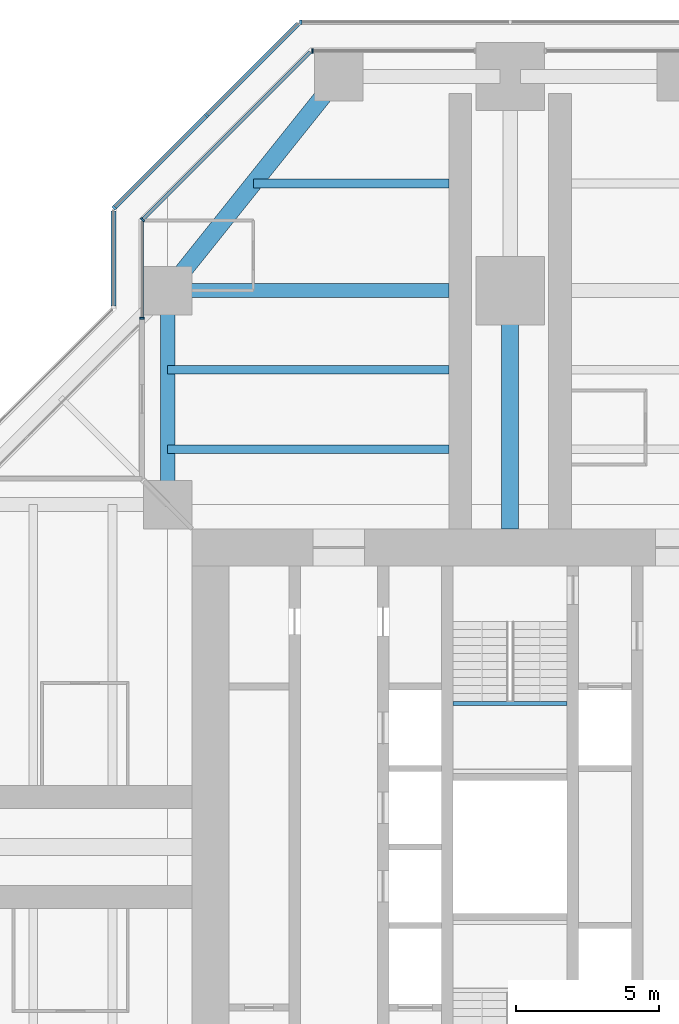
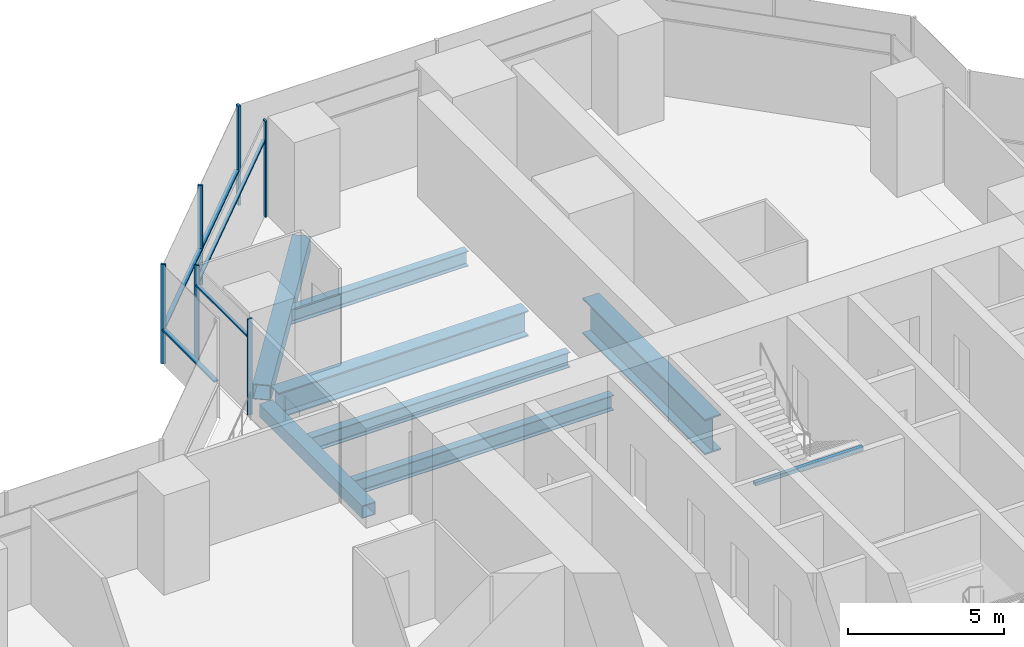
# One storey, part 8 of 20: 11 members, 8 beams, 6 elements without a shape of their own.
"""IFC4 building model written with IfcOpenShell, lengths in metres."""

import ifcopenshell
import ifcopenshell.guid

model = None  # the IFC model being written
_history = None  # IfcOwnerHistory: only IFC2X3 demands one
_inside = {}  # id of a spatial element -> (the spatial element, [elements in it])
_under = {}  # id of a project, library or spatial element -> (it, [spatial elements below it])
_declared = {}  # id of a project -> (the project, [libraries it declares])
_typed = {}  # id of a type object -> (the type object, [elements of that type])
_made_of = {}  # id of a material, layer set ... -> (it, [elements and type objects made of it])


def new_model(schema):
    """Start an empty IFC model of exactly this schema.

    Asked for "IFC4X3", IfcOpenShell would pick the latest addendum, in which some entities
    have other attributes; the version numbers below select the first issue.
    IFC2X3 requires an IfcOwnerHistory on every rooted entity: one is made here for all.
    """
    global model, _history
    if schema == "IFC4X3":
        model = ifcopenshell.file(schema_version=(4, 3, 0, 0))
    else:
        model = ifcopenshell.file(schema=schema)
    _inside.clear()
    _under.clear()
    _declared.clear()
    _typed.clear()
    _made_of.clear()
    _history = None
    if model.schema == "IFC2X3":
        org = make("IfcOrganization", Name="unknown")
        user = make(
            "IfcPersonAndOrganization",
            ThePerson=make("IfcPerson", FamilyName="unknown"),
            TheOrganization=org,
        )
        app = make(
            "IfcApplication",
            ApplicationDeveloper=org,
            Version="unknown",
            ApplicationFullName="unknown",
            ApplicationIdentifier="unknown",
        )
        _history = make(
            "IfcOwnerHistory",
            OwningUser=user,
            OwningApplication=app,
            ChangeAction="ADDED",
            CreationDate=0,
        )
    return model


def make(cls, **values):
    """One entity of the class cls with the attributes given. An attribute that is None is left unset."""
    return model.create_entity(
        cls, **{name: value for name, value in values.items() if value is not None}
    )


def rooted(cls, **values):
    """An entity with a GlobalId (a new one), such as an element, a storey or a relation."""
    return make(cls, GlobalId=ifcopenshell.guid.new(), OwnerHistory=_history, **values)


def si_unit(unit_type, name, prefix=None):
    """IfcSIUnit, for example si_unit("LENGTHUNIT", "METRE", prefix="MILLI")."""
    return make("IfcSIUnit", UnitType=unit_type, Prefix=prefix, Name=name)


def assignment(units):
    """IfcUnitAssignment: the units of a project."""
    return None if units is None else make("IfcUnitAssignment", Units=units)


def point(xyz):
    """IfcCartesianPoint."""
    return None if xyz is None else make("IfcCartesianPoint", Coordinates=xyz)


def direction(xyz):
    """IfcDirection."""
    return None if xyz is None else make("IfcDirection", DirectionRatios=xyz)


def frame(location, z_axis=None, x_axis=None):
    """IfcAxis2Placement3D, a coordinate frame: its origin and axes. An axis left out is left unset."""
    return make(
        "IfcAxis2Placement3D",
        Location=point(location),
        Axis=direction(z_axis),
        RefDirection=direction(x_axis),
    )


def frame_2d(location, x_axis=None):
    """IfcAxis2Placement2D, a coordinate frame in the plane: its origin and x axis."""
    return make(
        "IfcAxis2Placement2D", Location=point(location), RefDirection=direction(x_axis)
    )


def origin():
    """The frame at (0, 0, 0) with its axes left unset."""
    return frame((0.0, 0.0, 0.0))


def origin_2d():
    """The frame at (0, 0) in the plane with its x axis left unset."""
    return frame_2d((0.0, 0.0))


def place(relative_to, where):
    """IfcLocalPlacement: puts the frame where relative to a parent placement (None: the world)."""
    return make(
        "IfcLocalPlacement", PlacementRelTo=relative_to, RelativePlacement=where
    )


def context(
    kind, dimensions, precision=None, world=None, true_north=None, identifier=None
):
    """IfcGeometricRepresentationContext, for example the 3D "Model" context."""
    return make(
        "IfcGeometricRepresentationContext",
        ContextIdentifier=identifier,
        ContextType=kind,
        CoordinateSpaceDimension=dimensions,
        Precision=precision,
        WorldCoordinateSystem=world,
        TrueNorth=true_north,
    )


def subcontext(parent, identifier, kind, view, scale=None):
    """IfcGeometricRepresentationSubContext, for example "Body" below "Model"."""
    return make(
        "IfcGeometricRepresentationSubContext",
        ContextIdentifier=identifier,
        ContextType=kind,
        ParentContext=parent,
        TargetScale=scale,
        TargetView=view,
    )


def project(units=None, contexts=None):
    """IfcProject with its units and contexts."""
    return rooted(
        "IfcProject",
        Name="project",
        RepresentationContexts=contexts,
        UnitsInContext=assignment(units),
    )


def spatial(cls, under=None, at=None, **own):
    """A site, building, storey or space (cls), placed at a placement, below another one or the project."""
    s = rooted(cls, ObjectPlacement=at, **own)
    if under is not None:
        _under.setdefault(under.id(), (under, []))[1].append(s)
    return s


def profile(cls, at=None, kind="AREA", **sizes):
    """A parametric profile (cls). Its sizes go by their IFC names, for example OverallWidth=200.0."""
    return make(cls, ProfileType=kind, Position=at, **sizes)


def rectangle(**sizes):
    """IfcRectangleProfileDef."""
    return profile("IfcRectangleProfileDef", **sizes)


def hollow_rectangle(**sizes):
    """IfcRectangleHollowProfileDef."""
    return profile("IfcRectangleHollowProfileDef", **sizes)


def i_section(**sizes):
    """IfcIShapeProfileDef."""
    return profile("IfcIShapeProfileDef", **sizes)


def extrude(swept, where, along, depth):
    """IfcExtrudedAreaSolid: the profile swept, set in the frame where, extruded along a direction by depth."""
    return make(
        "IfcExtrudedAreaSolid",
        SweptArea=swept,
        Position=where,
        ExtrudedDirection=direction(along),
        Depth=depth,
    )


def shape(context_of_items, identifier, shape_type, items):
    """IfcShapeRepresentation: the items that make up one representation, for example the "Body"."""
    return make(
        "IfcShapeRepresentation",
        ContextOfItems=context_of_items,
        RepresentationIdentifier=identifier,
        RepresentationType=shape_type,
        Items=items,
    )


def material(Name=None, Category=None):
    """IfcMaterial."""
    return make("IfcMaterial", Name=Name, Category=Category)


def material_profile(
    of_material, cross_section, Name=None, Category=None, Priority=None
):
    """IfcMaterialProfile: a cross section and its material."""
    return make(
        "IfcMaterialProfile",
        Name=Name,
        Material=of_material,
        Profile=cross_section,
        Priority=Priority,
        Category=Category,
    )


def profile_set(profiles, Name=None, composite=None):
    """IfcMaterialProfileSet."""
    return make(
        "IfcMaterialProfileSet",
        Name=Name,
        MaterialProfiles=profiles,
        CompositeProfile=composite,
    )


def made_of(thing, what):
    """Note that an element or type object is made of a material, layer set ...; save() writes the relation."""
    if what is not None:
        _made_of.setdefault(what.id(), (what, []))[1].append(thing)
    return thing


def type_object(cls, material=None, **own):
    """A type object (cls), such as IfcWallType, which elements share."""
    return made_of(rooted(cls, **own), material)


def element(
    cls,
    number,
    at=None,
    inside=None,
    cuts=None,
    type_object=None,
    material=None,
    context=None,
    identifier="Body",
    shape_type=None,
    held_by="IfcProductDefinitionShape",
    body=None,
    shapes=None,
    **own,
):
    """One element of the class cls, such as IfcWall. Its Tag is "e" and its number.

    at: its placement. inside: the storey or other place that contains it. cuts: it is an
    opening in that element (IfcRelVoidsElement). A single representation is given by context,
    identifier, shape_type and body (its items); several are given by shapes. held_by: the class
    of the entity that holds the representations. save() writes the other relations.
    """
    e = rooted(cls, Tag="e%d" % number, ObjectPlacement=at, **own)
    if body is not None:
        shapes = [shape(context, identifier, shape_type, body)]
    if shapes is not None:
        e.Representation = make(held_by, Representations=shapes)
    if inside is not None:
        _inside.setdefault(inside.id(), (inside, []))[1].append(e)
    if cuts is not None:
        rooted(
            "IfcRelVoidsElement", RelatingBuildingElement=cuts, RelatedOpeningElement=e
        )
    if type_object is not None:
        _typed.setdefault(type_object.id(), (type_object, []))[1].append(e)
    return made_of(e, material)


def aggregate(whole, parts):
    """IfcRelAggregates: a whole, such as a stair, and the parts it consists of."""
    return rooted("IfcRelAggregates", RelatingObject=whole, RelatedObjects=parts)


def save(model, path):
    """Write the relations noted so far, then the file.

    IfcRelAggregates (storeys below a building ...), IfcRelContainedInSpatialStructure (elements
    in a storey), IfcRelDefinesByType, IfcRelAssociatesMaterial and IfcRelDeclares: one each for
    every whole, place, type object, material and project.
    """
    for whole, parts in _under.values():
        aggregate(whole, parts)
    for where, things in _inside.values():
        rooted(
            "IfcRelContainedInSpatialStructure",
            RelatedElements=things,
            RelatingStructure=where,
        )
    for kind, things in _typed.values():
        rooted("IfcRelDefinesByType", RelatedObjects=things, RelatingType=kind)
    for what, things in _made_of.values():
        rooted("IfcRelAssociatesMaterial", RelatedObjects=things, RelatingMaterial=what)
    for by, libraries in _declared.values():
        rooted("IfcRelDeclares", RelatingContext=by, RelatedDefinitions=libraries)
    model.write(path)


model = new_model("IFC4")

# Units and contexts
model_context = context("Model", 3, precision=1e-05, world=origin(), true_north=direction((0.0, 1.0)))
body_context = subcontext(model_context, "Body", "Model", "MODEL_VIEW")
ifc_project = project(units=[si_unit("LENGTHUNIT", "METRE"), si_unit("AREAUNIT", "SQUARE_METRE"), si_unit("VOLUMEUNIT", "CUBIC_METRE"), si_unit("PLANEANGLEUNIT", "RADIAN"), si_unit("MASSUNIT", "GRAM", prefix="KILO")], contexts=[model_context])

# Site, building, storey
site_placement = place(None, origin())
site = spatial("IfcSite", under=ifc_project, at=site_placement, CompositionType="ELEMENT")
building_placement = place(site_placement, origin())
building = spatial("IfcBuilding", under=site, at=building_placement, Name="Mizan Broadcast Tower", CompositionType="ELEMENT")
storey_placement = place(building_placement, frame((0.0, 0.0, 151.5)))
storey = spatial("IfcBuildingStorey", under=building, at=storey_placement, Name="L34", CompositionType="ELEMENT", Elevation=151.5)

# Beams
ifc_material_1 = material(Name="Steel S355", Category="steel")
ifc_material_profile_1 = material_profile(ifc_material_1, hollow_rectangle(XDim=0.5, YDim=0.5, WallThickness=0.030029296875, at=origin_2d()), Name="BOX 500x500x30")
ifc_profile_set_1 = profile_set([ifc_material_profile_1], Name="Steel S355")
beam_type_1 = type_object("IfcBeamType", Name="EDGE BEAM BOX 500x500x30", PredefinedType="SPANDREL", material=ifc_profile_set_1)
beam_1_placement = place(storey_placement, frame((-12.0, 12.449951171875, -0.3798828125), z_axis=(0.0, 1.0, 0.0), x_axis=(-1.0, 0.0, 0.0)))
element("IfcBeam", 1, at=beam_1_placement, inside=storey, type_object=beam_type_1, Name="Edge beam BOX 500x500x30 L34 north arm", PredefinedType="SPANDREL", context=body_context, shape_type="SweptSolid", body=[
    extrude(hollow_rectangle(XDim=0.5, YDim=0.5, WallThickness=0.030029296875, at=origin_2d()), origin(), (0.0, 0.0, 1.0), 6.60009765625),
])
ifc_material_2 = material(Name="Steel S355", Category="steel")
ifc_material_profile_2 = material_profile(ifc_material_2, hollow_rectangle(XDim=0.60009765625, YDim=0.60009765625, WallThickness=0.030029296875, at=origin_2d()), Name="BOX 600x600x30")
ifc_profile_set_2 = profile_set([ifc_material_profile_2], Name="Steel S355")
beam_type_2 = type_object("IfcBeamType", Name="EDGE BEAM BOX 600x600x30", PredefinedType="SPANDREL", material=ifc_profile_set_2)
beam_2_placement = place(storey_placement, frame((-11.639892578125, 19.949951171875, -0.429931640625), z_axis=(0.624673911726, 0.780885717636, 0.0), x_axis=(-0.780885717636, 0.624673911726, 0.0)))
element("IfcBeam", 2, at=beam_2_placement, inside=storey, type_object=beam_type_2, Name="Edge beam BOX 600x600x30 L34 north arm", PredefinedType="SPANDREL", context=body_context, shape_type="SweptSolid", body=[
    extrude(hollow_rectangle(XDim=0.60009765625, YDim=0.60009765625, WallThickness=0.030029296875, at=origin_2d()), origin(), (0.0, 0.0, 1.0), 8.4521484375),
])
ifc_material_3 = material(Name="Steel S460", Category="steel")
ifc_material_profile_3 = material_profile(ifc_material_3, i_section(OverallWidth=0.5, OverallDepth=1.0, WebThickness=0.02490234375, FlangeThickness=0.050048828125, at=origin_2d()), Name="WPG 1000x500")
ifc_profile_set_3 = profile_set([ifc_material_profile_3], Name="Steel S460")
beam_type_3 = type_object("IfcBeamType", Name="GIRDER WPG 1000x500", PredefinedType="BEAM", material=ifc_profile_set_3)
beam_3_placement = place(storey_placement, frame((-11.408935546875, 19.5, -0.6298828125), z_axis=(1.0, 0.0, 0.0), x_axis=(0.0, 1.0, 0.0)))
element("IfcBeam", 3, at=beam_3_placement, inside=storey, type_object=beam_type_3, Name="Girder WPG 1000x500 L34 north arm", PredefinedType="BEAM", context=body_context, shape_type="SweptSolid", body=[
    extrude(i_section(OverallWidth=0.5, OverallDepth=1.0, WebThickness=0.02490234375, FlangeThickness=0.050048828125, at=origin_2d()), origin(), (0.0, 0.0, 1.0), 9.259033203125),
])
ifc_material_4 = material(Name="Steel S460", Category="steel")
ifc_material_profile_4 = material_profile(ifc_material_4, i_section(OverallWidth=0.60009765625, OverallDepth=1.39990234375, WebThickness=0.02490234375, FlangeThickness=0.06005859375, at=origin_2d()), Name="WPG 1400x600")
ifc_profile_set_4 = profile_set([ifc_material_profile_4], Name="Steel S460")
beam_type_4 = type_object("IfcBeamType", Name="GIRDER WPG 1400x600", PredefinedType="BEAM", material=ifc_profile_set_4)
beam_4_placement = place(storey_placement, frame((0.0, 11.14990234375, -0.830078125), z_axis=(0.0, 1.0, 0.0), x_axis=(-1.0, 0.0, 0.0)))
element("IfcBeam", 4, at=beam_4_placement, inside=storey, type_object=beam_type_4, Name="Girder WPG 1400x600 L34 north arm", PredefinedType="BEAM", context=body_context, shape_type="SweptSolid", body=[
    extrude(i_section(OverallWidth=0.60009765625, OverallDepth=1.39990234375, WebThickness=0.02490234375, FlangeThickness=0.06005859375, at=origin_2d()), origin(), (0.0, 0.0, 1.0), 7.84912109375),
])

# Curtain wall, member
ifc_material_5 = material(Name="Aluminium framed glazing", Category="aluminium")
curtain_wall_type_1 = type_object("IfcCurtainWallType", Name="INNER SKIN MID ZONE", PredefinedType="USERDEFINED", material=ifc_material_5)
curtain_wall_1_placement = place(storey_placement, origin())
curtain_wall_1 = element("IfcCurtainWall", 5, at=curtain_wall_1_placement, inside=storey, type_object=curtain_wall_type_1, Name="Inner skin mid zone L34 N end", ObjectType="INNER SKIN MID ZONE", PredefinedType="USERDEFINED")
ifc_material_6 = material(Name="Aluminium, pale anodised", Category="aluminium")
ifc_material_profile_5 = material_profile(ifc_material_6, rectangle(XDim=0.159912109375, YDim=0.06005859375, at=origin_2d()), Name="MULLION 160x60")
ifc_profile_set_5 = profile_set([ifc_material_profile_5], Name="Aluminium, pale anodised")
member_type_1 = type_object("IfcMemberType", Name="INNER SKIN MULLION 60x160", PredefinedType="MULLION", material=ifc_profile_set_5)
member_1_placement = place(storey_placement, frame((-6.928466796875, 27.89990234375, 0.0), z_axis=(0.0, 0.0, 1.0), x_axis=(0.0, -1.0, 0.0)))
member_1 = element("IfcMember", 6, at=member_1_placement, type_object=member_type_1, Name="Inner skin mid zone L34 N end mullion 2", PredefinedType="MULLION", context=body_context, shape_type="SweptSolid", body=[
    extrude(rectangle(XDim=0.159912109375, YDim=0.06005859375, at=origin_2d()), origin(), (0.0, 0.0, 1.0), 3.77001953125),
])
aggregate(curtain_wall_1, [member_1])

curtain_wall_2_placement = place(storey_placement, origin())
curtain_wall_2 = element("IfcCurtainWall", 7, at=curtain_wall_2_placement, inside=storey, type_object=curtain_wall_type_1, Name="Inner skin mid zone L34 N chamfer", ObjectType="INNER SKIN MID ZONE", PredefinedType="USERDEFINED")
member_2_placement = place(storey_placement, frame((-12.87890625, 21.979736328125, 0.0), z_axis=(0.0, 0.0, 1.0), x_axis=(0.707106781187, -0.707106781187, 0.0)))
member_2 = element("IfcMember", 8, at=member_2_placement, type_object=member_type_1, Name="Inner skin mid zone L34 N chamfer mullion 2", PredefinedType="MULLION", context=body_context, shape_type="SweptSolid", body=[
    extrude(rectangle(XDim=0.159912109375, YDim=0.06005859375, at=origin_2d()), origin(), (0.0, 0.0, 1.0), 3.77001953125),
])

curtain_wall_3_placement = place(storey_placement, origin())
curtain_wall_3 = element("IfcCurtainWall", 9, at=curtain_wall_3_placement, inside=storey, type_object=curtain_wall_type_1, Name="Inner skin mid zone L34 N side", ObjectType="INNER SKIN MID ZONE", PredefinedType="USERDEFINED")
member_3_placement = place(storey_placement, frame((-12.89990234375, 18.530029296875, 0.0), z_axis=(0.0, 0.0, 1.0), x_axis=(1.0, 0.0, 0.0)))
member_3 = element("IfcMember", 10, at=member_3_placement, type_object=member_type_1, Name="Inner skin mid zone L34 N side mullion 2", PredefinedType="MULLION", context=body_context, shape_type="SweptSolid", body=[
    extrude(rectangle(XDim=0.159912109375, YDim=0.06005859375, at=origin_2d()), origin(), (0.0, 0.0, 1.0), 3.77001953125),
])

# Member
ifc_material_7 = material(Name="Aluminium, pale anodised", Category="aluminium")
ifc_material_profile_6 = material_profile(ifc_material_7, rectangle(XDim=0.1201171875, YDim=0.06005859375, at=origin_2d()), Name="TRANSOM 120x60")
ifc_profile_set_6 = profile_set([ifc_material_profile_6], Name="Aluminium, pale anodised")
member_type_2 = type_object("IfcMemberType", Name="INNER SKIN TRANSOM 60x120", PredefinedType="USERDEFINED", material=ifc_profile_set_6)
member_4_placement = place(storey_placement, frame((-7.0009765625, 27.857666015625, 3.030029296875), z_axis=(-0.707106781187, -0.707106781187, 0.0), x_axis=(0.707106781187, -0.707106781187, 0.0)))
member_4 = element("IfcMember", 11, at=member_4_placement, type_object=member_type_2, Name="Inner skin mid zone L34 N chamfer transom 1.1", ObjectType="TRANSOM", PredefinedType="USERDEFINED", context=body_context, shape_type="SweptSolid", body=[
    extrude(rectangle(XDim=0.1201171875, YDim=0.06005859375, at=origin_2d()), origin(), (0.0, 0.0, 1.0), 8.28271484375),
])

aggregate(curtain_wall_2, [member_2, member_4])

member_5_placement = place(storey_placement, frame((-12.89990234375, 21.898681640625, 3.030029296875), z_axis=(0.0, -1.0, 0.0), x_axis=(1.0, 0.0, 0.0)))
member_5 = element("IfcMember", 12, at=member_5_placement, type_object=member_type_2, Name="Inner skin mid zone L34 N side transom 1.1", ObjectType="TRANSOM", PredefinedType="USERDEFINED", context=body_context, shape_type="SweptSolid", body=[
    extrude(rectangle(XDim=0.1201171875, YDim=0.06005859375, at=origin_2d()), origin(), (0.0, 0.0, 1.0), 3.338623046875),
])

aggregate(curtain_wall_3, [member_3, member_5])

# Beam
ifc_material_8 = material(Name="Steel S355", Category="steel")
ifc_material_profile_7 = material_profile(ifc_material_8, hollow_rectangle(XDim=0.14990234375, YDim=0.14990234375, WallThickness=0.008056640625, InnerFilletRadius=0.008056640625, OuterFilletRadius=0.011962890625, at=origin_2d()), Name="SHS 150x150x8")
ifc_profile_set_7 = profile_set([ifc_material_profile_7], Name="Steel S355")
beam_type_5 = type_object("IfcBeamType", Name="LANDING TRIMMER SHS 150x150x8", PredefinedType="BEAM", material=ifc_profile_set_7)
beam_5_placement = place(storey_placement, frame((2.0, 5.02490234375, 1.675048828125), z_axis=(-1.0, 0.0, 0.0), x_axis=(0.0, -1.0, 0.0)))
element("IfcBeam", 13, at=beam_5_placement, inside=storey, type_object=beam_type_5, Name="Stair B landing trimmer L34", PredefinedType="BEAM", context=body_context, shape_type="SweptSolid", body=[
    extrude(hollow_rectangle(XDim=0.14990234375, YDim=0.14990234375, WallThickness=0.008056640625, InnerFilletRadius=0.008056640625, OuterFilletRadius=0.011962890625, at=origin_2d()), origin(), (0.0, 0.0, 1.0), 4.0),
])

# Curtain wall, member
ifc_material_9 = material(Name="Aluminium framed glazing", Category="aluminium")
curtain_wall_type_2 = type_object("IfcCurtainWallType", Name="OUTER SKIN", PredefinedType="USERDEFINED", material=ifc_material_9)
curtain_wall_4_placement = place(storey_placement, origin())
curtain_wall_4 = element("IfcCurtainWall", 14, at=curtain_wall_4_placement, inside=storey, type_object=curtain_wall_type_2, Name="Outer skin L34 N end", ObjectType="OUTER SKIN", PredefinedType="USERDEFINED")
ifc_material_10 = material(Name="Aluminium, pale anodised", Category="aluminium")
ifc_material_profile_8 = material_profile(ifc_material_10, rectangle(XDim=0.159912109375, YDim=0.080078125, at=origin_2d()), Name="MULLION 160x80")
ifc_profile_set_8 = profile_set([ifc_material_profile_8], Name="Aluminium, pale anodised")
member_type_3 = type_object("IfcMemberType", Name="OUTER SKIN MULLION 80x160", PredefinedType="MULLION", material=ifc_profile_set_8)
member_6_placement = place(storey_placement, frame((-7.332763671875, 28.89990234375, 0.0), z_axis=(0.0, 0.0, 1.0), x_axis=(0.0, -1.0, 0.0)))
member_6 = element("IfcMember", 15, at=member_6_placement, type_object=member_type_3, Name="Outer skin L34 N end mullion 3", PredefinedType="MULLION", context=body_context, shape_type="SweptSolid", body=[
    extrude(rectangle(XDim=0.159912109375, YDim=0.080078125, at=origin_2d()), origin(), (0.0, 0.0, 1.0), 3.89990234375),
])
aggregate(curtain_wall_4, [member_6])

# Curtain wall, members
curtain_wall_5_placement = place(storey_placement, origin())
curtain_wall_5 = element("IfcCurtainWall", 16, at=curtain_wall_5_placement, inside=storey, type_object=curtain_wall_type_2, Name="Outer skin L34 N chamfer", ObjectType="OUTER SKIN", PredefinedType="USERDEFINED")
member_7_placement = place(storey_placement, frame((-10.636474609375, 25.636474609375, 0.0), z_axis=(0.0, 0.0, 1.0), x_axis=(0.707106781187, -0.707106781187, 0.0)))
member_7 = element("IfcMember", 17, at=member_7_placement, type_object=member_type_3, Name="Outer skin L34 N chamfer mullion 2", PredefinedType="MULLION", context=body_context, shape_type="SweptSolid", body=[
    extrude(rectangle(XDim=0.159912109375, YDim=0.080078125, at=origin_2d()), origin(), (0.0, 0.0, 1.0), 3.89990234375),
])
member_8_placement = place(storey_placement, frame((-13.871826171875, 22.401123046875, 0.0), z_axis=(0.0, 0.0, 1.0), x_axis=(0.707106781187, -0.707106781187, 0.0)))
member_8 = element("IfcMember", 18, at=member_8_placement, type_object=member_type_3, Name="Outer skin L34 N chamfer mullion 3", PredefinedType="MULLION", context=body_context, shape_type="SweptSolid", body=[
    extrude(rectangle(XDim=0.159912109375, YDim=0.080078125, at=origin_2d()), origin(), (0.0, 0.0, 1.0), 3.89990234375),
])
ifc_material_11 = material(Name="Aluminium, pale anodised", Category="aluminium")
ifc_material_profile_9 = material_profile(ifc_material_11, rectangle(XDim=0.159912109375, YDim=0.06005859375, at=origin_2d()), Name="TRANSOM 160x60")
ifc_profile_set_9 = profile_set([ifc_material_profile_9], Name="Aluminium, pale anodised")
member_type_4 = type_object("IfcMemberType", Name="OUTER SKIN TRANSOM 60x160", PredefinedType="USERDEFINED", material=ifc_profile_set_9)
member_9_placement = place(storey_placement, frame((-7.429443359375, 28.843505859375, 1.39990234375), z_axis=(-0.707106781187, -0.707106781187, 0.0), x_axis=(0.707106781187, -0.707106781187, 0.0)))
member_9 = element("IfcMember", 19, at=member_9_placement, type_object=member_type_4, Name="Outer skin L34 N chamfer transom 1.1", ObjectType="TRANSOM", PredefinedType="USERDEFINED", context=body_context, shape_type="SweptSolid", body=[
    extrude(rectangle(XDim=0.159912109375, YDim=0.06005859375, at=origin_2d()), origin(), (0.0, 0.0, 1.0), 4.495361328125),
])
member_10_placement = place(storey_placement, frame((-10.664794921875, 25.608154296875, 1.39990234375), z_axis=(-0.707106781187, -0.707106781187, 0.0), x_axis=(0.707106781187, -0.707106781187, 0.0)))
member_10 = element("IfcMember", 20, at=member_10_placement, type_object=member_type_4, Name="Outer skin L34 N chamfer transom 2.1", ObjectType="TRANSOM", PredefinedType="USERDEFINED", context=body_context, shape_type="SweptSolid", body=[
    extrude(rectangle(XDim=0.159912109375, YDim=0.06005859375, at=origin_2d()), origin(), (0.0, 0.0, 1.0), 4.495361328125),
])
aggregate(curtain_wall_5, [member_7, member_8, member_9, member_10])

# Curtain wall, member
curtain_wall_6_placement = place(storey_placement, origin())
curtain_wall_6 = element("IfcCurtainWall", 21, at=curtain_wall_6_placement, inside=storey, type_object=curtain_wall_type_2, Name="Outer skin L34 N side", ObjectType="OUTER SKIN", PredefinedType="USERDEFINED")
member_11_placement = place(storey_placement, frame((-13.89990234375, 22.292724609375, 1.39990234375), z_axis=(0.0, -1.0, 0.0), x_axis=(1.0, 0.0, 0.0)))
member_11 = element("IfcMember", 22, at=member_11_placement, type_object=member_type_4, Name="Outer skin L34 N side transom 1.1", ObjectType="TRANSOM", PredefinedType="USERDEFINED", context=body_context, shape_type="SweptSolid", body=[
    extrude(rectangle(XDim=0.159912109375, YDim=0.06005859375, at=origin_2d()), origin(), (0.0, 0.0, 1.0), 3.33984375),
])
aggregate(curtain_wall_6, [member_11])

# Beams
ifc_material_12 = material(Name="Steel S355", Category="steel")
ifc_material_profile_10 = material_profile(ifc_material_12, i_section(OverallWidth=0.300048828125, OverallDepth=0.590087890625, WebThickness=0.012939453125, FlangeThickness=0.02490234375, FilletRadius=0.027099609375, at=origin_2d()), Name="HEA 600")
ifc_profile_set_10 = profile_set([ifc_material_profile_10], Name="Steel S355")
beam_type_6 = type_object("IfcBeamType", Name="SECONDARY BEAM HEA 600", PredefinedType="JOIST", material=ifc_profile_set_10)
for number, where, z_axis, x_axis, name in (
    (23, (-12.0, 13.933349609375, -0.425048828125), (1.0, 0.0, 0.0), (0.0, 1.0, 0.0), "Secondary beam HEA 600 L34 north arm"),
    (24, (-12.0, 16.716552734375, -0.425048828125), (1.0, 0.0, 0.0), (0.0, 1.0, 0.0), "Secondary beam HEA 600 L34 north arm"),
):
    element("IfcBeam", number, at=place(storey_placement, frame(where, z_axis=z_axis, x_axis=x_axis)), inside=storey, type_object=beam_type_6, Name=name, PredefinedType="JOIST", context=body_context, shape_type="SweptSolid", body=[
        extrude(i_section(OverallWidth=0.300048828125, OverallDepth=0.590087890625, WebThickness=0.012939453125, FlangeThickness=0.02490234375, FilletRadius=0.027099609375, at=origin_2d()), origin(), (0.0, 0.0, 1.0), 9.85009765625),
    ])
beam_6_placement = place(storey_placement, frame((-9.0, 23.25, -0.425048828125), z_axis=(1.0, 0.0, 0.0), x_axis=(0.0, 1.0, 0.0)))
element("IfcBeam", 25, at=beam_6_placement, inside=storey, type_object=beam_type_6, Name="Secondary beam HEA 600 L34 north arm", PredefinedType="JOIST", context=body_context, shape_type="SweptSolid", body=[
    extrude(i_section(OverallWidth=0.300048828125, OverallDepth=0.590087890625, WebThickness=0.012939453125, FlangeThickness=0.02490234375, FilletRadius=0.027099609375, at=origin_2d()), origin(), (0.0, 0.0, 1.0), 6.85009765625),
])

save(model, "model.ifc")
